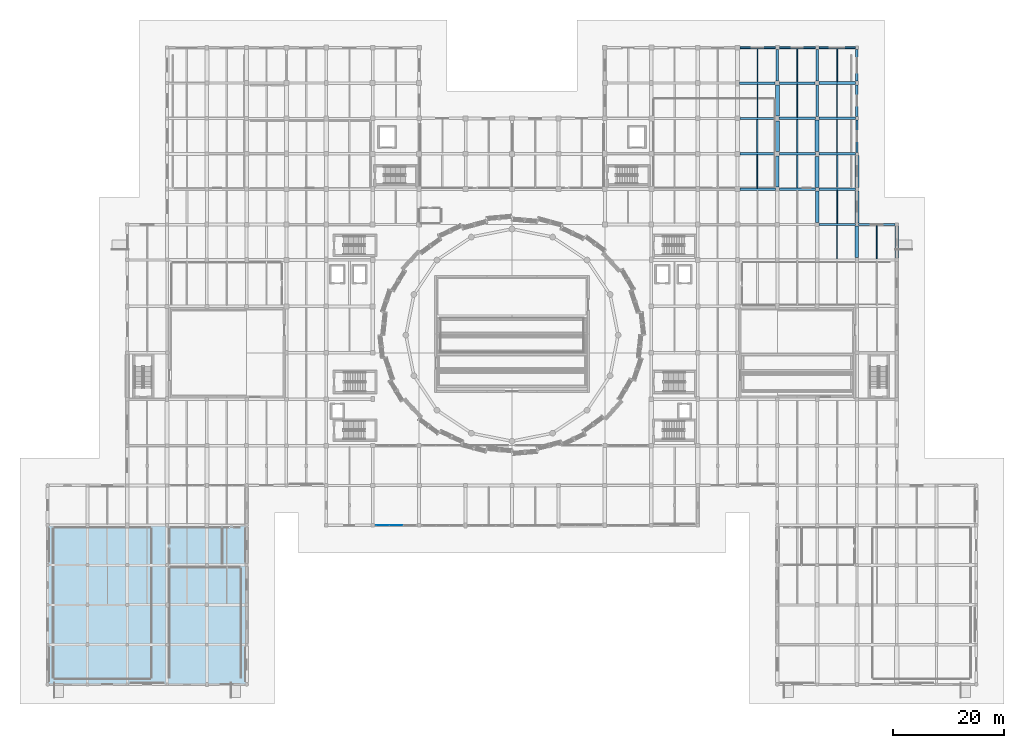
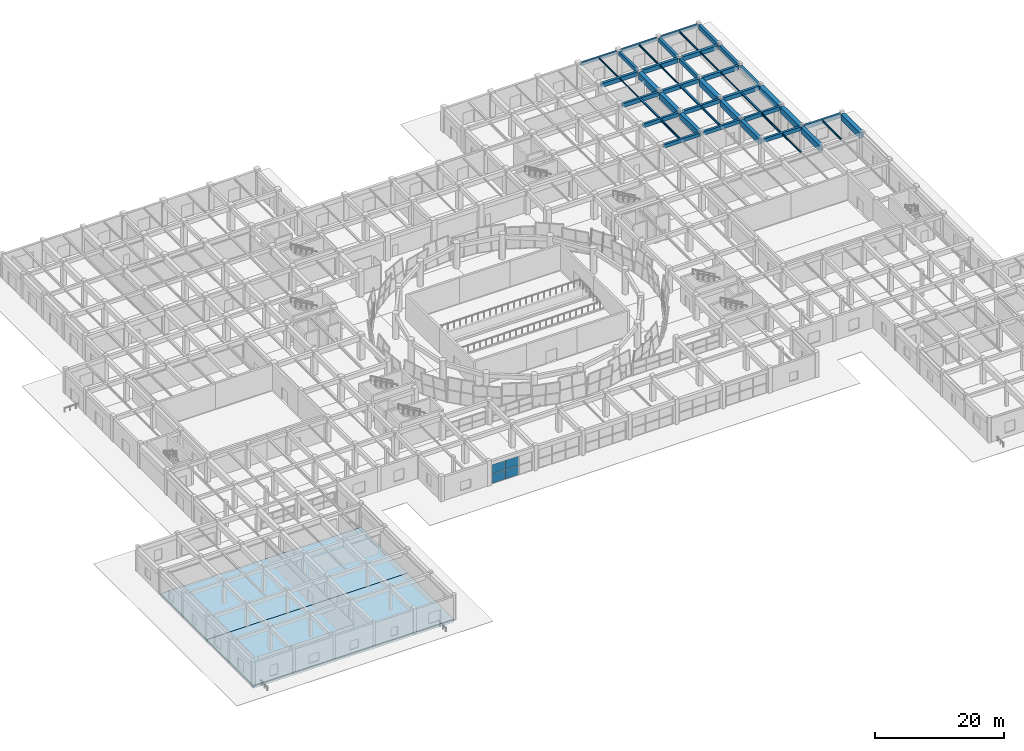
# One storey, part 38 of 72: 48 beams, 4 plates, 2 slabs, 1 element without a shape of its own.
"""IFC4 building model written with IfcOpenShell, lengths in metres."""

from ifc_helpers import new_model, si_unit, direction, frame, origin, origin_2d, place, context, subcontext, project, spatial, polyline, rectangle, i_section, outline, extrude, material, layer, layer_set, material_profile, profile_set, type_object, element, aggregate, save


model = new_model("IFC4")

# Units and contexts
model_context = context("Model", 3, precision=1e-05, world=origin(), true_north=direction((0.0, 1.0)))
body_context = subcontext(model_context, "Body", "Model", "MODEL_VIEW")
ifc_project = project(units=[si_unit("LENGTHUNIT", "METRE"), si_unit("AREAUNIT", "SQUARE_METRE"), si_unit("VOLUMEUNIT", "CUBIC_METRE"), si_unit("PLANEANGLEUNIT", "RADIAN"), si_unit("MASSUNIT", "GRAM", prefix="KILO")], contexts=[model_context])

# Site, building, storey
site_placement = place(None, origin())
site = spatial("IfcSite", under=ifc_project, at=site_placement, CompositionType="ELEMENT")
building_placement = place(site_placement, origin())
building = spatial("IfcBuilding", under=site, at=building_placement, Name="Korsvaeld Concert Hall", CompositionType="ELEMENT")
storey_placement = place(building_placement, origin())
storey = spatial("IfcBuildingStorey", under=building, at=storey_placement, Name="L00", CompositionType="ELEMENT", Elevation=0.0)

# Beams
ifc_material_1 = material(Name="Concrete C35/45", Category="concrete")
ifc_material_profile_1 = material_profile(ifc_material_1, rectangle(XDim=0.39990234375, YDim=0.64990234375, at=origin_2d()), Name="RC 400x650")
ifc_profile_set_1 = profile_set([ifc_material_profile_1], Name="Concrete C35/45")
beam_type_1 = type_object("IfcBeamType", Name="BM-RC-400x650", PredefinedType="T_BEAM", material=ifc_profile_set_1)
beam_1_placement = place(storey_placement, frame((125.22509765625, 89.60009765625, 4.114990234375), z_axis=(1.0, 0.0, 0.0), x_axis=(0.0, 1.0, 0.0)))
element("IfcBeam", 1, at=beam_1_placement, inside=storey, type_object=beam_type_1, Name="Primary girder 17-18/N L00", PredefinedType="T_BEAM", context=body_context, shape_type="SweptSolid", body=[
    extrude(rectangle(XDim=0.39990234375, YDim=0.64990234375, at=origin_2d()), origin(), (0.0, 0.0, 1.0), 6.39990234375),
])
ifc_material_profile_2 = material_profile(ifc_material_1, rectangle(XDim=0.39990234375, YDim=0.699951171875, at=origin_2d()), Name="RC 400x700")
ifc_profile_set_2 = profile_set([ifc_material_profile_2], Name="Concrete C35/45")
beam_type_2 = type_object("IfcBeamType", Name="BM-RC-400x700", PredefinedType="T_BEAM", material=ifc_profile_set_2)
beam_2_placement = place(storey_placement, frame((139.550048828125, 83.199951171875, 4.090087890625), z_axis=(1.0, 0.0, 0.0), x_axis=(0.0, 1.0, 0.0)))
element("IfcBeam", 2, at=beam_2_placement, inside=storey, type_object=beam_type_2, Name="Primary girder 19-20/M L00", PredefinedType="T_BEAM", context=body_context, shape_type="SweptSolid", body=[
    extrude(rectangle(XDim=0.39990234375, YDim=0.699951171875, at=origin_2d()), origin(), (0.0, 0.0, 1.0), 6.574951171875),
])
beam_3_placement = place(storey_placement, frame((132.375, 89.60009765625, 4.090087890625), z_axis=(1.0, 0.0, 0.0), x_axis=(0.0, 1.0, 0.0)))
element("IfcBeam", 3, at=beam_3_placement, inside=storey, type_object=beam_type_2, Name="Primary girder 18-19/N L00", PredefinedType="T_BEAM", context=body_context, shape_type="SweptSolid", body=[
    extrude(rectangle(XDim=0.39990234375, YDim=0.699951171875, at=origin_2d()), origin(), (0.0, 0.0, 1.0), 6.5),
])
beam_4_placement = place(storey_placement, frame((125.25, 96.0, 4.090087890625), z_axis=(1.0, 0.0, 0.0), x_axis=(0.0, 1.0, 0.0)))
element("IfcBeam", 4, at=beam_4_placement, inside=storey, type_object=beam_type_2, Name="Primary girder 17-18/P L00", PredefinedType="T_BEAM", context=body_context, shape_type="SweptSolid", body=[
    extrude(rectangle(XDim=0.39990234375, YDim=0.699951171875, at=origin_2d()), origin(), (0.0, 0.0, 1.0), 6.35009765625),
])
beam_5_placement = place(storey_placement, frame((132.0, 109.199951171875, 4.090087890625), z_axis=(0.0, 1.0, 0.0), x_axis=(-1.0, 0.0, 0.0)))
element("IfcBeam", 5, at=beam_5_placement, inside=storey, type_object=beam_type_2, Name="Primary girder 18/R-S L00", PredefinedType="T_BEAM", context=body_context, shape_type="SweptSolid", body=[
    extrude(rectangle(XDim=0.39990234375, YDim=0.699951171875, at=origin_2d()), origin(), (0.0, 0.0, 1.0), 5.625),
])
beam_6_placement = place(storey_placement, frame((139.199951171875, 102.72509765625, 4.090087890625), z_axis=(0.0, 1.0, 0.0), x_axis=(-1.0, 0.0, 0.0)))
element("IfcBeam", 6, at=beam_6_placement, inside=storey, type_object=beam_type_2, Name="Primary girder 19/Q-R L00", PredefinedType="T_BEAM", context=body_context, shape_type="SweptSolid", body=[
    extrude(rectangle(XDim=0.39990234375, YDim=0.699951171875, at=origin_2d()), origin(), (0.0, 0.0, 1.0), 5.724853515625),
])
beam_7_placement = place(storey_placement, frame((146.39990234375, 96.27490234375, 4.090087890625), z_axis=(0.0, 1.0, 0.0), x_axis=(-1.0, 0.0, 0.0)))
element("IfcBeam", 7, at=beam_7_placement, inside=storey, type_object=beam_type_2, Name="Primary girder 20/P-Q L00", PredefinedType="T_BEAM", context=body_context, shape_type="SweptSolid", body=[
    extrude(rectangle(XDim=0.39990234375, YDim=0.699951171875, at=origin_2d()), origin(), (0.0, 0.0, 1.0), 5.8251953125),
])
ifc_material_profile_3 = material_profile(ifc_material_1, rectangle(XDim=0.39990234375, YDim=0.75, at=origin_2d()), Name="RC 400x750")
ifc_profile_set_3 = profile_set([ifc_material_profile_3], Name="Concrete C35/45")
beam_type_3 = type_object("IfcBeamType", Name="BM-RC-400x750", PredefinedType="T_BEAM", material=ifc_profile_set_3)
beam_8_placement = place(storey_placement, frame((146.675048828125, 83.199951171875, 4.06494140625), z_axis=(1.0, 0.0, 0.0), x_axis=(0.0, 1.0, 0.0)))
element("IfcBeam", 8, at=beam_8_placement, inside=storey, type_object=beam_type_3, Name="Primary girder 20-21/M L00", PredefinedType="T_BEAM", context=body_context, shape_type="SweptSolid", body=[
    extrude(rectangle(XDim=0.39990234375, YDim=0.75, at=origin_2d()), origin(), (0.0, 0.0, 1.0), 6.625),
])
beam_9_placement = place(storey_placement, frame((139.52490234375, 89.60009765625, 4.06494140625), z_axis=(1.0, 0.0, 0.0), x_axis=(0.0, 1.0, 0.0)))
element("IfcBeam", 9, at=beam_9_placement, inside=storey, type_object=beam_type_3, Name="Primary girder 19-20/N L00", PredefinedType="T_BEAM", context=body_context, shape_type="SweptSolid", body=[
    extrude(rectangle(XDim=0.39990234375, YDim=0.75, at=origin_2d()), origin(), (0.0, 0.0, 1.0), 6.5751953125),
])
beam_10_placement = place(storey_placement, frame((132.39990234375, 96.0, 4.06494140625), z_axis=(1.0, 0.0, 0.0), x_axis=(0.0, 1.0, 0.0)))
element("IfcBeam", 10, at=beam_10_placement, inside=storey, type_object=beam_type_3, Name="Primary girder 18-19/P L00", PredefinedType="T_BEAM", context=body_context, shape_type="SweptSolid", body=[
    extrude(rectangle(XDim=0.39990234375, YDim=0.75, at=origin_2d()), origin(), (0.0, 0.0, 1.0), 6.5),
])
beam_11_placement = place(storey_placement, frame((125.22509765625, 102.39990234375, 4.06494140625), z_axis=(1.0, 0.0, 0.0), x_axis=(0.0, 1.0, 0.0)))
element("IfcBeam", 11, at=beam_11_placement, inside=storey, type_object=beam_type_3, Name="Primary girder 17-18/Q L00", PredefinedType="T_BEAM", context=body_context, shape_type="SweptSolid", body=[
    extrude(rectangle(XDim=0.39990234375, YDim=0.75, at=origin_2d()), origin(), (0.0, 0.0, 1.0), 6.474853515625),
])
ifc_material_profile_4 = material_profile(ifc_material_1, rectangle(XDim=0.449951171875, YDim=0.75, at=origin_2d()), Name="RC 450x750")
ifc_profile_set_4 = profile_set([ifc_material_profile_4], Name="Concrete C35/45")
beam_type_4 = type_object("IfcBeamType", Name="BM-RC-450x750", PredefinedType="T_BEAM", material=ifc_profile_set_4)
beam_12_placement = place(storey_placement, frame((139.5, 96.0, 4.06494140625), z_axis=(1.0, 0.0, 0.0), x_axis=(0.0, 1.0, 0.0)))
element("IfcBeam", 12, at=beam_12_placement, inside=storey, type_object=beam_type_4, Name="Primary girder 19-20/P L00", PredefinedType="T_BEAM", context=body_context, shape_type="SweptSolid", body=[
    extrude(rectangle(XDim=0.449951171875, YDim=0.75, at=origin_2d()), origin(), (0.0, 0.0, 1.0), 6.625),
])
beam_13_placement = place(storey_placement, frame((132.300048828125, 102.39990234375, 4.06494140625), z_axis=(1.0, 0.0, 0.0), x_axis=(0.0, 1.0, 0.0)))
element("IfcBeam", 13, at=beam_13_placement, inside=storey, type_object=beam_type_4, Name="Primary girder 18-19/Q L00", PredefinedType="T_BEAM", context=body_context, shape_type="SweptSolid", body=[
    extrude(rectangle(XDim=0.449951171875, YDim=0.75, at=origin_2d()), origin(), (0.0, 0.0, 1.0), 6.574951171875),
])
beam_14_placement = place(storey_placement, frame((125.14990234375, 108.800048828125, 4.06494140625), z_axis=(1.0, 0.0, 0.0), x_axis=(0.0, 1.0, 0.0)))
element("IfcBeam", 14, at=beam_14_placement, inside=storey, type_object=beam_type_4, Name="Primary girder 17-18/R L00", PredefinedType="T_BEAM", context=body_context, shape_type="SweptSolid", body=[
    extrude(rectangle(XDim=0.449951171875, YDim=0.75, at=origin_2d()), origin(), (0.0, 0.0, 1.0), 6.4501953125),
])
ifc_material_profile_5 = material_profile(ifc_material_1, rectangle(XDim=0.449951171875, YDim=0.800048828125, at=origin_2d()), Name="RC 450x800")
ifc_profile_set_5 = profile_set([ifc_material_profile_5], Name="Concrete C35/45")
beam_type_5 = type_object("IfcBeamType", Name="BM-RC-450x800", PredefinedType="T_BEAM", material=ifc_profile_set_5)
beam_15_placement = place(storey_placement, frame((139.52490234375, 102.39990234375, 4.0400390625), z_axis=(1.0, 0.0, 0.0), x_axis=(0.0, 1.0, 0.0)))
element("IfcBeam", 15, at=beam_15_placement, inside=storey, type_object=beam_type_5, Name="Primary girder 19-20/Q L00", PredefinedType="T_BEAM", context=body_context, shape_type="SweptSolid", body=[
    extrude(rectangle(XDim=0.449951171875, YDim=0.800048828125, at=origin_2d()), origin(), (0.0, 0.0, 1.0), 6.5751953125),
])
beam_16_placement = place(storey_placement, frame((132.39990234375, 108.800048828125, 4.0400390625), z_axis=(1.0, 0.0, 0.0), x_axis=(0.0, 1.0, 0.0)))
element("IfcBeam", 16, at=beam_16_placement, inside=storey, type_object=beam_type_5, Name="Primary girder 18-19/R L00", PredefinedType="T_BEAM", context=body_context, shape_type="SweptSolid", body=[
    extrude(rectangle(XDim=0.449951171875, YDim=0.800048828125, at=origin_2d()), origin(), (0.0, 0.0, 1.0), 6.4501953125),
])
for number, where, z_axis, x_axis, name in (
    (17, (139.199951171875, 109.14990234375, 4.0400390625), (0.0, 1.0, 0.0), (-1.0, 0.0, 0.0), "Primary girder 19/R-S L00"),
    (18, (146.39990234375, 102.699951171875, 4.0400390625), (0.0, 1.0, 0.0), (-1.0, 0.0, 0.0), "Primary girder 20/Q-R L00"),
):
    element("IfcBeam", number, at=place(storey_placement, frame(where, z_axis=z_axis, x_axis=x_axis)), inside=storey, type_object=beam_type_5, Name=name, PredefinedType="T_BEAM", context=body_context, shape_type="SweptSolid", body=[
        extrude(rectangle(XDim=0.449951171875, YDim=0.800048828125, at=origin_2d()), origin(), (0.0, 0.0, 1.0), 5.72509765625),
    ])
ifc_material_2 = material(Name="Concrete C40/50", Category="concrete")
ifc_material_profile_6 = material_profile(ifc_material_2, rectangle(XDim=0.449951171875, YDim=0.85009765625, at=origin_2d()), Name="RC 450x850")
ifc_profile_set_6 = profile_set([ifc_material_profile_6], Name="Concrete C40/50")
beam_type_6 = type_object("IfcBeamType", Name="BM-RC-450x850", PredefinedType="T_BEAM", material=ifc_profile_set_6)
beam_17_placement = place(storey_placement, frame((146.39990234375, 109.175048828125, 4.014892578125), z_axis=(0.0, 1.0, 0.0), x_axis=(-1.0, 0.0, 0.0)))
element("IfcBeam", 19, at=beam_17_placement, inside=storey, type_object=beam_type_6, Name="Primary girder 20/R-S L00", PredefinedType="T_BEAM", context=body_context, shape_type="SweptSolid", body=[
    extrude(rectangle(XDim=0.449951171875, YDim=0.85009765625, at=origin_2d()), origin(), (0.0, 0.0, 1.0), 5.724853515625),
])
ifc_material_profile_7 = material_profile(ifc_material_2, rectangle(XDim=0.5, YDim=0.800048828125, at=origin_2d()), Name="RC 500x800")
ifc_profile_set_7 = profile_set([ifc_material_profile_7], Name="Concrete C40/50")
beam_type_7 = type_object("IfcBeamType", Name="BM-RC-500x800", PredefinedType="T_BEAM", material=ifc_profile_set_7)
beam_18_placement = place(storey_placement, frame((139.550048828125, 108.800048828125, 4.0400390625), z_axis=(1.0, 0.0, 0.0), x_axis=(0.0, 1.0, 0.0)))
element("IfcBeam", 20, at=beam_18_placement, inside=storey, type_object=beam_type_7, Name="Primary girder 19-20/R L00", PredefinedType="T_BEAM", context=body_context, shape_type="SweptSolid", body=[
    extrude(rectangle(XDim=0.5, YDim=0.800048828125, at=origin_2d()), origin(), (0.0, 0.0, 1.0), 6.574951171875),
])
ifc_material_profile_8 = material_profile(ifc_material_2, rectangle(XDim=0.64990234375, YDim=1.10009765625, at=origin_2d()), Name="RC 650x1100")
ifc_profile_set_8 = profile_set([ifc_material_profile_8], Name="Concrete C40/50")
beam_type_8 = type_object("IfcBeamType", Name="BM-RC-650x1100", PredefinedType="T_BEAM", material=ifc_profile_set_8)
beam_19_placement = place(storey_placement, frame((132.0, 89.97509765625, 3.889892578125), z_axis=(0.0, 1.0, 0.0), x_axis=(-1.0, 0.0, 0.0)))
element("IfcBeam", 21, at=beam_19_placement, inside=storey, type_object=beam_type_8, Name="Primary girder 18/N-P L00", PredefinedType="T_BEAM", context=body_context, shape_type="SweptSolid", body=[
    extrude(rectangle(XDim=0.64990234375, YDim=1.10009765625, at=origin_2d()), origin(), (0.0, 0.0, 1.0), 5.625),
])
beam_20_placement = place(storey_placement, frame((139.199951171875, 83.550048828125, 3.889892578125), z_axis=(0.0, 1.0, 0.0), x_axis=(-1.0, 0.0, 0.0)))
element("IfcBeam", 22, at=beam_20_placement, inside=storey, type_object=beam_type_8, Name="Primary girder 19/M-N L00", PredefinedType="T_BEAM", context=body_context, shape_type="SweptSolid", body=[
    extrude(rectangle(XDim=0.64990234375, YDim=1.10009765625, at=origin_2d()), origin(), (0.0, 0.0, 1.0), 5.724853515625),
])
beam_21_placement = place(storey_placement, frame((146.39990234375, 77.25, 3.889892578125), z_axis=(0.0, 1.0, 0.0), x_axis=(-1.0, 0.0, 0.0)))
element("IfcBeam", 23, at=beam_21_placement, inside=storey, type_object=beam_type_8, Name="Primary girder 20/L-M L00", PredefinedType="T_BEAM", context=body_context, shape_type="SweptSolid", body=[
    extrude(rectangle(XDim=0.64990234375, YDim=1.10009765625, at=origin_2d()), origin(), (0.0, 0.0, 1.0), 5.675048828125),
])
ifc_material_profile_9 = material_profile(ifc_material_2, rectangle(XDim=0.699951171875, YDim=1.14990234375, at=origin_2d()), Name="RC 700x1150")
ifc_profile_set_9 = profile_set([ifc_material_profile_9], Name="Concrete C40/50")
beam_type_9 = type_object("IfcBeamType", Name="BM-RC-700x1150", PredefinedType="T_BEAM", material=ifc_profile_set_9)
beam_22_placement = place(storey_placement, frame((132.0, 96.39990234375, 3.864990234375), z_axis=(0.0, 1.0, 0.0), x_axis=(-1.0, 0.0, 0.0)))
element("IfcBeam", 24, at=beam_22_placement, inside=storey, type_object=beam_type_9, Name="Primary girder 18/P-Q L00", PredefinedType="T_BEAM", context=body_context, shape_type="SweptSolid", body=[
    extrude(rectangle(XDim=0.699951171875, YDim=1.14990234375, at=origin_2d()), origin(), (0.0, 0.0, 1.0), 5.550048828125),
])
beam_23_placement = place(storey_placement, frame((139.199951171875, 89.925048828125, 3.864990234375), z_axis=(0.0, 1.0, 0.0), x_axis=(-1.0, 0.0, 0.0)))
element("IfcBeam", 25, at=beam_23_placement, inside=storey, type_object=beam_type_9, Name="Primary girder 19/N-P L00", PredefinedType="T_BEAM", context=body_context, shape_type="SweptSolid", body=[
    extrude(rectangle(XDim=0.699951171875, YDim=1.14990234375, at=origin_2d()), origin(), (0.0, 0.0, 1.0), 5.625),
])
beam_24_placement = place(storey_placement, frame((146.39990234375, 83.47509765625, 3.864990234375), z_axis=(0.0, 1.0, 0.0), x_axis=(-1.0, 0.0, 0.0)))
element("IfcBeam", 26, at=beam_24_placement, inside=storey, type_object=beam_type_9, Name="Primary girder 20/M-N L00", PredefinedType="T_BEAM", context=body_context, shape_type="SweptSolid", body=[
    extrude(rectangle(XDim=0.699951171875, YDim=1.14990234375, at=origin_2d()), origin(), (0.0, 0.0, 1.0), 5.824951171875),
])
beam_25_placement = place(storey_placement, frame((153.60009765625, 77.125, 3.864990234375), z_axis=(0.0, 1.0, 0.0), x_axis=(-1.0, 0.0, 0.0)))
element("IfcBeam", 27, at=beam_25_placement, inside=storey, type_object=beam_type_9, Name="Primary girder 21/L-M L00", PredefinedType="T_BEAM", context=body_context, shape_type="SweptSolid", body=[
    extrude(rectangle(XDim=0.699951171875, YDim=1.14990234375, at=origin_2d()), origin(), (0.0, 0.0, 1.0), 5.77490234375),
])
ifc_material_profile_10 = material_profile(ifc_material_2, rectangle(XDim=0.75, YDim=1.199951171875, at=origin_2d()), Name="RC 750x1200")
ifc_profile_set_10 = profile_set([ifc_material_profile_10], Name="Concrete C40/50")
beam_type_10 = type_object("IfcBeamType", Name="BM-RC-750x1200", PredefinedType="T_BEAM", material=ifc_profile_set_10)
beam_26_placement = place(storey_placement, frame((132.0, 102.85009765625, 3.840087890625), z_axis=(0.0, 1.0, 0.0), x_axis=(-1.0, 0.0, 0.0)))
element("IfcBeam", 28, at=beam_26_placement, inside=storey, type_object=beam_type_10, Name="Primary girder 18/Q-R L00", PredefinedType="T_BEAM", context=body_context, shape_type="SweptSolid", body=[
    extrude(rectangle(XDim=0.75, YDim=1.199951171875, at=origin_2d()), origin(), (0.0, 0.0, 1.0), 5.5498046875),
])
beam_27_placement = place(storey_placement, frame((139.199951171875, 96.449951171875, 3.840087890625), z_axis=(0.0, 1.0, 0.0), x_axis=(-1.0, 0.0, 0.0)))
element("IfcBeam", 29, at=beam_27_placement, inside=storey, type_object=beam_type_10, Name="Primary girder 19/P-Q L00", PredefinedType="T_BEAM", context=body_context, shape_type="SweptSolid", body=[
    extrude(rectangle(XDim=0.75, YDim=1.199951171875, at=origin_2d()), origin(), (0.0, 0.0, 1.0), 5.625),
])
beam_28_placement = place(storey_placement, frame((146.39990234375, 89.89990234375, 3.840087890625), z_axis=(0.0, 1.0, 0.0), x_axis=(-1.0, 0.0, 0.0)))
element("IfcBeam", 30, at=beam_28_placement, inside=storey, type_object=beam_type_10, Name="Primary girder 20/N-P L00", PredefinedType="T_BEAM", context=body_context, shape_type="SweptSolid", body=[
    extrude(rectangle(XDim=0.75, YDim=1.199951171875, at=origin_2d()), origin(), (0.0, 0.0, 1.0), 5.8251953125),
])
ifc_material_profile_11 = material_profile(ifc_material_1, rectangle(XDim=0.35009765625, YDim=0.550048828125, at=origin_2d()), Name="RC 350x550")
ifc_profile_set_11 = profile_set([ifc_material_profile_11], Name="Concrete C35/45")
beam_type_11 = type_object("IfcBeamType", Name="BM-SP-350x550", PredefinedType="SPANDREL", material=ifc_profile_set_11)
beam_29_placement = place(storey_placement, frame((125.22509765625, 115.199951171875, 4.1650390625), z_axis=(1.0, 0.0, 0.0), x_axis=(0.0, 1.0, 0.0)))
element("IfcBeam", 31, at=beam_29_placement, inside=storey, type_object=beam_type_11, Name="Primary girder 17-18/S L00", PredefinedType="SPANDREL", context=body_context, shape_type="SweptSolid", body=[
    extrude(rectangle(XDim=0.35009765625, YDim=0.550048828125, at=origin_2d()), origin(), (0.0, 0.0, 1.0), 6.39990234375),
])
beam_30_placement = place(storey_placement, frame((132.375, 115.199951171875, 4.1650390625), z_axis=(1.0, 0.0, 0.0), x_axis=(0.0, 1.0, 0.0)))
element("IfcBeam", 32, at=beam_30_placement, inside=storey, type_object=beam_type_11, Name="Primary girder 18-19/S L00", PredefinedType="SPANDREL", context=body_context, shape_type="SweptSolid", body=[
    extrude(rectangle(XDim=0.35009765625, YDim=0.550048828125, at=origin_2d()), origin(), (0.0, 0.0, 1.0), 6.5),
])
beam_31_placement = place(storey_placement, frame((139.52490234375, 115.199951171875, 4.1650390625), z_axis=(1.0, 0.0, 0.0), x_axis=(0.0, 1.0, 0.0)))
element("IfcBeam", 33, at=beam_31_placement, inside=storey, type_object=beam_type_11, Name="Primary girder 19-20/S L00", PredefinedType="SPANDREL", context=body_context, shape_type="SweptSolid", body=[
    extrude(rectangle(XDim=0.35009765625, YDim=0.550048828125, at=origin_2d()), origin(), (0.0, 0.0, 1.0), 6.5751953125),
])
ifc_material_3 = material(Name="Steel S355J2", Category="steel")
ifc_material_profile_12 = material_profile(ifc_material_3, i_section(OverallWidth=0.280029296875, OverallDepth=0.27001953125, WebThickness=0.008056640625, FlangeThickness=0.012939453125, FilletRadius=0.02392578125, at=origin_2d()), Name="HEA 280")
ifc_profile_set_12 = profile_set([ifc_material_profile_12], Name="Steel S355J2")
beam_type_12 = type_object("IfcBeamType", Name="BM-STL-HEA280", PredefinedType="BEAM", material=ifc_profile_set_12)
beam_32_placement = place(storey_placement, frame((128.39990234375, 96.199951171875, 4.304931640625), z_axis=(0.0, 1.0, 0.0), x_axis=(-1.0, 0.0, 0.0)))
element("IfcBeam", 34, at=beam_32_placement, inside=storey, type_object=beam_type_12, Name="Secondary steel floor beam 17-18/P L00", PredefinedType="BEAM", context=body_context, shape_type="SweptSolid", body=[
    extrude(i_section(OverallWidth=0.280029296875, OverallDepth=0.27001953125, WebThickness=0.008056640625, FlangeThickness=0.012939453125, FilletRadius=0.02392578125, at=origin_2d()), origin(), (0.0, 0.0, 1.0), 6.0),
])
beam_33_placement = place(storey_placement, frame((142.800048828125, 89.800048828125, 4.304931640625), z_axis=(0.0, 1.0, 0.0), x_axis=(-1.0, 0.0, 0.0)))
element("IfcBeam", 35, at=beam_33_placement, inside=storey, type_object=beam_type_12, Name="Secondary steel floor beam 19-20/N L00", PredefinedType="BEAM", context=body_context, shape_type="SweptSolid", body=[
    extrude(i_section(OverallWidth=0.280029296875, OverallDepth=0.27001953125, WebThickness=0.008056640625, FlangeThickness=0.012939453125, FilletRadius=0.02392578125, at=origin_2d()), origin(), (0.0, 0.0, 1.0), 5.974853515625),
])
ifc_material_profile_13 = material_profile(ifc_material_3, i_section(OverallWidth=0.300048828125, OverallDepth=0.35009765625, WebThickness=0.010009765625, FlangeThickness=0.017578125, FilletRadius=0.027099609375, at=origin_2d()), Name="HEA 360")
ifc_profile_set_13 = profile_set([ifc_material_profile_13], Name="Steel S355J2")
beam_type_13 = type_object("IfcBeamType", Name="BM-STL-HEA360", PredefinedType="BEAM", material=ifc_profile_set_13)
beam_34_placement = place(storey_placement, frame((135.60009765625, 96.199951171875, 4.264892578125), z_axis=(0.0, 1.0, 0.0), x_axis=(-1.0, 0.0, 0.0)))
element("IfcBeam", 36, at=beam_34_placement, inside=storey, type_object=beam_type_13, Name="Secondary steel floor beam 18-19/P L00", PredefinedType="BEAM", context=body_context, shape_type="SweptSolid", body=[
    extrude(i_section(OverallWidth=0.300048828125, OverallDepth=0.35009765625, WebThickness=0.010009765625, FlangeThickness=0.017578125, FilletRadius=0.027099609375, at=origin_2d()), origin(), (0.0, 0.0, 1.0), 5.97509765625),
])
ifc_material_profile_14 = material_profile(ifc_material_3, i_section(OverallWidth=0.1201171875, OverallDepth=0.239990234375, WebThickness=0.006103515625, FlangeThickness=0.009765625, FilletRadius=0.014892578125, at=origin_2d()), Name="IPE 240")
ifc_profile_set_14 = profile_set([ifc_material_profile_14], Name="Steel S355J2")
beam_type_14 = type_object("IfcBeamType", Name="BM-STL-IPE240", PredefinedType="JOIST", material=ifc_profile_set_14)
beam_35_placement = place(storey_placement, frame((128.39990234375, 102.60009765625, 4.320068359375), z_axis=(0.0, 1.0, 0.0), x_axis=(-1.0, 0.0, 0.0)))
element("IfcBeam", 37, at=beam_35_placement, inside=storey, type_object=beam_type_14, Name="Secondary steel floor beam 17-18/Q L00", PredefinedType="JOIST", context=body_context, shape_type="SweptSolid", body=[
    extrude(i_section(OverallWidth=0.1201171875, OverallDepth=0.239990234375, WebThickness=0.006103515625, FlangeThickness=0.009765625, FilletRadius=0.014892578125, at=origin_2d()), origin(), (0.0, 0.0, 1.0), 5.974853515625),
])
beam_36_placement = place(storey_placement, frame((142.800048828125, 96.22509765625, 4.320068359375), z_axis=(0.0, 1.0, 0.0), x_axis=(-1.0, 0.0, 0.0)))
element("IfcBeam", 38, at=beam_36_placement, inside=storey, type_object=beam_type_14, Name="Secondary steel floor beam 19-20/P L00", PredefinedType="JOIST", context=body_context, shape_type="SweptSolid", body=[
    extrude(i_section(OverallWidth=0.1201171875, OverallDepth=0.239990234375, WebThickness=0.006103515625, FlangeThickness=0.009765625, FilletRadius=0.014892578125, at=origin_2d()), origin(), (0.0, 0.0, 1.0), 5.949951171875),
])
ifc_material_profile_15 = material_profile(ifc_material_3, i_section(OverallWidth=0.135009765625, OverallDepth=0.27001953125, WebThickness=0.006591796875, FlangeThickness=0.01025390625, FilletRadius=0.014892578125, at=origin_2d()), Name="IPE 270")
ifc_profile_set_15 = profile_set([ifc_material_profile_15], Name="Steel S355J2")
beam_type_15 = type_object("IfcBeamType", Name="BM-STL-IPE270", PredefinedType="JOIST", material=ifc_profile_set_15)
beam_37_placement = place(storey_placement, frame((135.60009765625, 102.625, 4.304931640625), z_axis=(0.0, 1.0, 0.0), x_axis=(-1.0, 0.0, 0.0)))
element("IfcBeam", 39, at=beam_37_placement, inside=storey, type_object=beam_type_15, Name="Secondary steel floor beam 18-19/Q L00", PredefinedType="JOIST", context=body_context, shape_type="SweptSolid", body=[
    extrude(i_section(OverallWidth=0.135009765625, OverallDepth=0.27001953125, WebThickness=0.006591796875, FlangeThickness=0.01025390625, FilletRadius=0.014892578125, at=origin_2d()), origin(), (0.0, 0.0, 1.0), 5.949951171875),
])
ifc_material_profile_16 = material_profile(ifc_material_3, i_section(OverallWidth=0.14990234375, OverallDepth=0.300048828125, WebThickness=0.007080078125, FlangeThickness=0.0107421875, FilletRadius=0.014892578125, at=origin_2d()), Name="IPE 300")
ifc_profile_set_16 = profile_set([ifc_material_profile_16], Name="Steel S355J2")
beam_type_16 = type_object("IfcBeamType", Name="BM-STL-IPE300", PredefinedType="JOIST", material=ifc_profile_set_16)
beam_38_placement = place(storey_placement, frame((128.39990234375, 109.02490234375, 4.2900390625), z_axis=(0.0, 1.0, 0.0), x_axis=(-1.0, 0.0, 0.0)))
element("IfcBeam", 40, at=beam_38_placement, inside=storey, type_object=beam_type_16, Name="Secondary steel floor beam 17-18/R L00", PredefinedType="JOIST", context=body_context, shape_type="SweptSolid", body=[
    extrude(i_section(OverallWidth=0.14990234375, OverallDepth=0.300048828125, WebThickness=0.007080078125, FlangeThickness=0.0107421875, FilletRadius=0.014892578125, at=origin_2d()), origin(), (0.0, 0.0, 1.0), 6.0),
])
beam_39_placement = place(storey_placement, frame((142.800048828125, 102.625, 4.2900390625), z_axis=(0.0, 1.0, 0.0), x_axis=(-1.0, 0.0, 0.0)))
element("IfcBeam", 41, at=beam_39_placement, inside=storey, type_object=beam_type_16, Name="Secondary steel floor beam 19-20/Q L00", PredefinedType="JOIST", context=body_context, shape_type="SweptSolid", body=[
    extrude(i_section(OverallWidth=0.14990234375, OverallDepth=0.300048828125, WebThickness=0.007080078125, FlangeThickness=0.0107421875, FilletRadius=0.014892578125, at=origin_2d()), origin(), (0.0, 0.0, 1.0), 5.925048828125),
])
ifc_material_profile_17 = material_profile(ifc_material_3, i_section(OverallWidth=0.159912109375, OverallDepth=0.330078125, WebThickness=0.007568359375, FlangeThickness=0.011474609375, FilletRadius=0.01806640625, at=origin_2d()), Name="IPE 330")
ifc_profile_set_17 = profile_set([ifc_material_profile_17], Name="Steel S355J2")
beam_type_17 = type_object("IfcBeamType", Name="BM-STL-IPE330", PredefinedType="BEAM", material=ifc_profile_set_17)
for number, where, z_axis, x_axis, name in (
    (42, (135.60009765625, 109.02490234375, 4.27490234375), (0.0, 1.0, 0.0), (-1.0, 0.0, 0.0), "Secondary steel floor beam 18-19/R L00"),
    (43, (142.800048828125, 77.0, 4.27490234375), (0.0, 1.0, 0.0), (-1.0, 0.0, 0.0), "Secondary steel floor beam 19-20/L L00"),
):
    element("IfcBeam", number, at=place(storey_placement, frame(where, z_axis=z_axis, x_axis=x_axis)), inside=storey, type_object=beam_type_17, Name=name, PredefinedType="BEAM", context=body_context, shape_type="SweptSolid", body=[
        extrude(i_section(OverallWidth=0.159912109375, OverallDepth=0.330078125, WebThickness=0.007568359375, FlangeThickness=0.011474609375, FilletRadius=0.01806640625, at=origin_2d()), origin(), (0.0, 0.0, 1.0), 6.0),
    ])
ifc_material_profile_18 = material_profile(ifc_material_3, i_section(OverallWidth=0.169921875, OverallDepth=0.360107421875, WebThickness=0.008056640625, FlangeThickness=0.0126953125, FilletRadius=0.01806640625, at=origin_2d()), Name="IPE 360")
ifc_profile_set_18 = profile_set([ifc_material_profile_18], Name="Steel S355J2")
beam_type_18 = type_object("IfcBeamType", Name="BM-STL-IPE360", PredefinedType="BEAM", material=ifc_profile_set_18)
beam_40_placement = place(storey_placement, frame((142.800048828125, 109.050048828125, 4.260009765625), z_axis=(0.0, 1.0, 0.0), x_axis=(-1.0, 0.0, 0.0)))
element("IfcBeam", 44, at=beam_40_placement, inside=storey, type_object=beam_type_18, Name="Secondary steel floor beam 19-20/R L00", PredefinedType="BEAM", context=body_context, shape_type="SweptSolid", body=[
    extrude(i_section(OverallWidth=0.169921875, OverallDepth=0.360107421875, WebThickness=0.008056640625, FlangeThickness=0.0126953125, FilletRadius=0.01806640625, at=origin_2d()), origin(), (0.0, 0.0, 1.0), 5.974853515625),
])
beam_41_placement = place(storey_placement, frame((150.0, 77.0, 4.260009765625), z_axis=(0.0, 1.0, 0.0), x_axis=(-1.0, 0.0, 0.0)))
element("IfcBeam", 45, at=beam_41_placement, inside=storey, type_object=beam_type_18, Name="Secondary steel floor beam 20-21/L L00", PredefinedType="BEAM", context=body_context, shape_type="SweptSolid", body=[
    extrude(i_section(OverallWidth=0.169921875, OverallDepth=0.360107421875, WebThickness=0.008056640625, FlangeThickness=0.0126953125, FilletRadius=0.01806640625, at=origin_2d()), origin(), (0.0, 0.0, 1.0), 6.0),
])
ifc_material_profile_19 = material_profile(ifc_material_3, i_section(OverallWidth=0.179931640625, OverallDepth=0.39990234375, WebThickness=0.008544921875, FlangeThickness=0.013427734375, FilletRadius=0.02099609375, at=origin_2d()), Name="IPE 400")
ifc_profile_set_19 = profile_set([ifc_material_profile_19], Name="Steel S355J2")
beam_type_19 = type_object("IfcBeamType", Name="BM-STL-IPE400", PredefinedType="BEAM", material=ifc_profile_set_19)
for number, where, z_axis, x_axis, name in (
    (46, (128.39990234375, 89.800048828125, 4.239990234375), (0.0, 1.0, 0.0), (-1.0, 0.0, 0.0), "Secondary steel floor beam 17-18/N L00"),
    (47, (142.800048828125, 83.39990234375, 4.239990234375), (0.0, 1.0, 0.0), (-1.0, 0.0, 0.0), "Secondary steel floor beam 19-20/M L00"),
):
    element("IfcBeam", number, at=place(storey_placement, frame(where, z_axis=z_axis, x_axis=x_axis)), inside=storey, type_object=beam_type_19, Name=name, PredefinedType="BEAM", context=body_context, shape_type="SweptSolid", body=[
        extrude(i_section(OverallWidth=0.179931640625, OverallDepth=0.39990234375, WebThickness=0.008544921875, FlangeThickness=0.013427734375, FilletRadius=0.02099609375, at=origin_2d()), origin(), (0.0, 0.0, 1.0), 6.0),
    ])
ifc_material_profile_20 = material_profile(ifc_material_3, i_section(OverallWidth=0.18994140625, OverallDepth=0.449951171875, WebThickness=0.009521484375, FlangeThickness=0.0146484375, FilletRadius=0.02099609375, at=origin_2d()), Name="IPE 450")
ifc_profile_set_20 = profile_set([ifc_material_profile_20], Name="Steel S355J2")
beam_type_20 = type_object("IfcBeamType", Name="BM-STL-IPE450", PredefinedType="BEAM", material=ifc_profile_set_20)
beam_42_placement = place(storey_placement, frame((135.60009765625, 89.800048828125, 4.215087890625), z_axis=(0.0, 1.0, 0.0), x_axis=(-1.0, 0.0, 0.0)))
element("IfcBeam", 48, at=beam_42_placement, inside=storey, type_object=beam_type_20, Name="Secondary steel floor beam 18-19/N L00", PredefinedType="BEAM", context=body_context, shape_type="SweptSolid", body=[
    extrude(i_section(OverallWidth=0.18994140625, OverallDepth=0.449951171875, WebThickness=0.009521484375, FlangeThickness=0.0146484375, FilletRadius=0.02099609375, at=origin_2d()), origin(), (0.0, 0.0, 1.0), 6.0),
])

# Curtain wall, plates
ifc_material_4 = material(Name="Anodised bronze and ceramic-fritted safety glass", Category="glass")
curtain_wall_type = type_object("IfcCurtainWallType", Name="CW-TYPE-14", PredefinedType="USERDEFINED", material=ifc_material_4)
curtain_wall_placement = place(storey_placement, origin())
curtain_wall = element("IfcCurtainWall", 49, at=curtain_wall_placement, inside=storey, type_object=curtain_wall_type, Name="Wintergarden foyer curtain wall L00-06", ObjectType="CURTAIN WALL", PredefinedType="USERDEFINED")
ifc_material_5 = material(Name="Clear acoustic triple safety glazing", Category="glass")
ifc_layer_1 = layer(ifc_material_5, 0.0439453125)
ifc_layer_set_1 = layer_set([ifc_layer_1], Name="Clear acoustic triple safety glazing")
plate_type = type_object("IfcPlateType", Name="CWP-CLEAR-44", PredefinedType="CURTAIN_PANEL", material=ifc_layer_set_1)
plate_1_placement = place(storey_placement, frame((63.0, 28.800048828125, 0.06005859375), z_axis=(0.0, 0.0, 1.0), x_axis=(-1.0, 0.0, 0.0)))
plate_1 = element("IfcPlate", 50, at=plate_1_placement, type_object=plate_type, Name="CW-14 panel 2.1", PredefinedType="CURTAIN_PANEL", context=body_context, shape_type="SweptSolid", body=[
    extrude(rectangle(XDim=2.373291015625, YDim=0.0439453125, at=origin_2d()), origin(), (0.0, 0.0, 1.0), 1.7548828125),
])
plate_2_placement = place(storey_placement, frame((63.0, 28.800048828125, 1.875), z_axis=(0.0, 0.0, 1.0), x_axis=(-1.0, 0.0, 0.0)))
plate_2 = element("IfcPlate", 51, at=plate_2_placement, type_object=plate_type, Name="CW-14 panel 2.2", PredefinedType="CURTAIN_PANEL", context=body_context, shape_type="SweptSolid", body=[
    extrude(rectangle(XDim=2.373291015625, YDim=0.0439453125, at=origin_2d()), origin(), (0.0, 0.0, 1.0), 1.7548828125),
])
plate_3_placement = place(storey_placement, frame((60.581787109375, 28.800048828125, 0.06005859375), z_axis=(0.0, 0.0, 1.0), x_axis=(-1.0, 0.0, 0.0)))
plate_3 = element("IfcPlate", 52, at=plate_3_placement, type_object=plate_type, Name="CW-14 panel 3.1", PredefinedType="CURTAIN_PANEL", context=body_context, shape_type="SweptSolid", body=[
    extrude(rectangle(XDim=2.34326171875, YDim=0.0439453125, at=origin_2d()), origin(), (0.0, 0.0, 1.0), 1.7548828125),
])
plate_4_placement = place(storey_placement, frame((60.581787109375, 28.800048828125, 1.875), z_axis=(0.0, 0.0, 1.0), x_axis=(-1.0, 0.0, 0.0)))
plate_4 = element("IfcPlate", 53, at=plate_4_placement, type_object=plate_type, Name="CW-14 panel 3.2", PredefinedType="CURTAIN_PANEL", context=body_context, shape_type="SweptSolid", body=[
    extrude(rectangle(XDim=2.34326171875, YDim=0.0439453125, at=origin_2d()), origin(), (0.0, 0.0, 1.0), 1.7548828125),
])
aggregate(curtain_wall, [plate_1, plate_2, plate_3, plate_4])

# Slabs
ifc_layer_2 = layer(ifc_material_1, 0.550048828125)
ifc_layer_set_2 = layer_set([ifc_layer_2], Name="Concrete C35/45")
slab_type = type_object("IfcSlabType", Name="SLB-GND-550", PredefinedType="BASESLAB", material=ifc_layer_set_2)
slab_1_placement = place(storey_placement, frame((0.0, 0.0, -0.550048828125)))
element("IfcSlab", 54, at=slab_1_placement, inside=storey, type_object=slab_type, Name="Structural slab L00 V4_SW 1.1", PredefinedType="BASESLAB", context=body_context, shape_type="SweptSolid", body=[
    extrude(outline(polyline([(0.0, 0.0), (0.0, 14.39990234375), (36.0, 14.39990234375), (36.0, 0.0), (0.0, 0.0)])), origin(), (0.0, 0.0, 1.0), 0.550048828125),
])
slab_2_placement = place(storey_placement, frame((0.0, 0.0, -0.550048828125)))
element("IfcSlab", 55, at=slab_2_placement, inside=storey, type_object=slab_type, Name="Structural slab L00 V4_SW 1.2", PredefinedType="BASESLAB", context=body_context, shape_type="SweptSolid", body=[
    extrude(outline(polyline([(0.0, 14.39990234375), (0.0, 28.800048828125), (36.0, 28.800048828125), (36.0, 14.39990234375), (0.0, 14.39990234375)])), origin(), (0.0, 0.0, 1.0), 0.550048828125),
])

save(model, "model.ifc")
